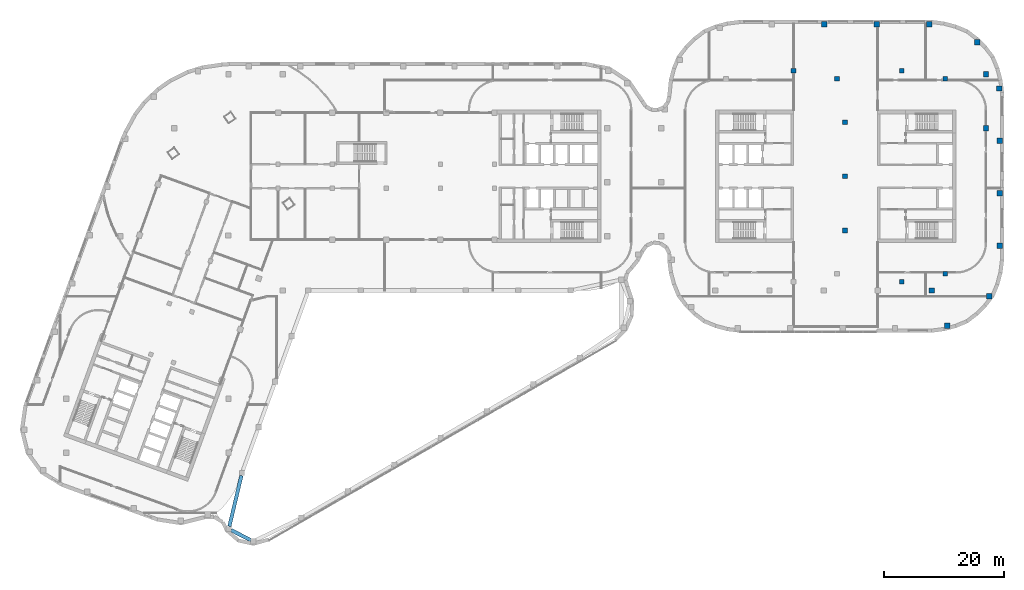
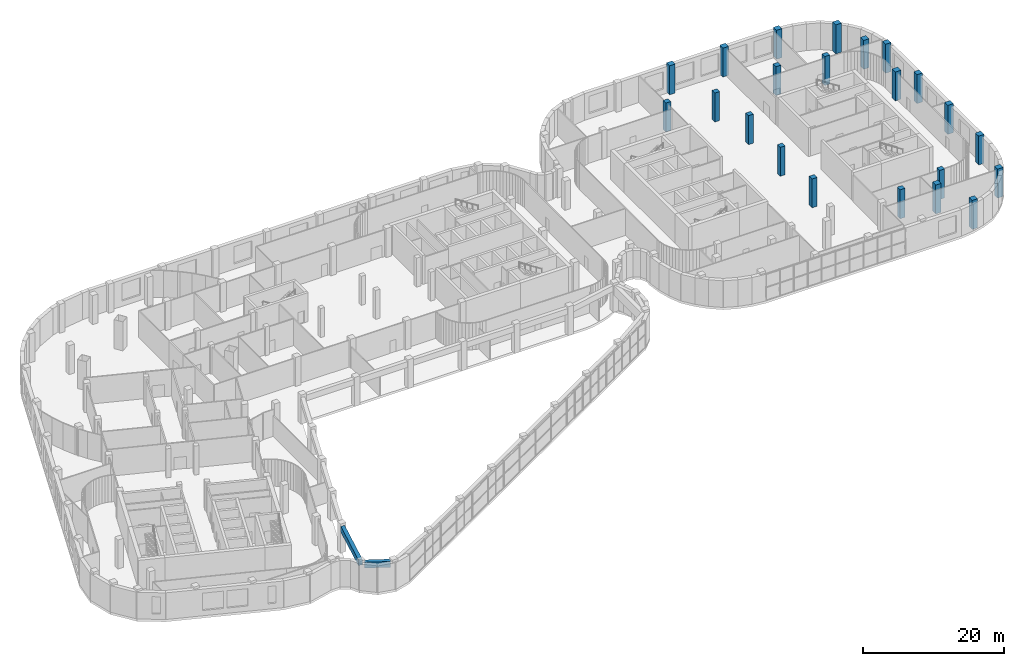
# One storey, part 2 of 25: 22 columns, 2 beams.
"""IFC4 building model written with IfcOpenShell, lengths in metres."""

from ifc_helpers import new_model, si_unit, direction, frame, origin, origin_2d, place, context, subcontext, project, spatial, rectangle, extrude, material, material_profile, profile_set, type_object, element, save


model = new_model("IFC4")

# Units and contexts
model_context = context("Model", 3, precision=1e-05, world=origin(), true_north=direction((0.0, 1.0)))
body_context = subcontext(model_context, "Body", "Model", "MODEL_VIEW")
ifc_project = project(units=[si_unit("LENGTHUNIT", "METRE"), si_unit("AREAUNIT", "SQUARE_METRE"), si_unit("VOLUMEUNIT", "CUBIC_METRE"), si_unit("PLANEANGLEUNIT", "RADIAN"), si_unit("MASSUNIT", "GRAM", prefix="KILO")], contexts=[model_context])

# Site, building, storey
site_placement = place(None, origin())
site = spatial("IfcSite", under=ifc_project, at=site_placement, CompositionType="ELEMENT")
building_placement = place(site_placement, origin())
building = spatial("IfcBuilding", under=site, at=building_placement, Name="Skarvind Civic Tower", CompositionType="ELEMENT")
storey_placement = place(building_placement, frame((0.0, 0.0, 7.5)))
storey = spatial("IfcBuildingStorey", under=building, at=storey_placement, Name="L01", CompositionType="ELEMENT", Elevation=7.5)

# Columns
ifc_material = material(Name="Concrete C60", Category="concrete")
ifc_material_profile_1 = material_profile(ifc_material, rectangle(XDim=0.800048828125, YDim=0.800048828125, at=origin_2d()), Name="RC-800x800")
ifc_profile_set_1 = profile_set([ifc_material_profile_1], Name="Concrete C60")
column_type_1 = type_object("IfcColumnType", Name="Column RC-800x800 C60", PredefinedType="COLUMN", material=ifc_profile_set_1)
for number, where, z_axis, x_axis, name in (
    (1, (148.550048828125, 119.0, 0.0), (0.0, 0.0, 1.0), (1.0, 0.0, 0.0), "Column second tower middle line 01 L01"),
    (2, (148.550048828125, 128.0, 0.0), (0.0, 0.0, 1.0), (1.0, 0.0, 0.0), "Column second tower middle line 02 L01"),
    (3, (148.550048828125, 137.0, 0.0), (0.0, 0.0, 1.0), (1.0, 0.0, 0.0), "Column second tower middle line 03 L01"),
    (4, (140.0, 145.550048828125, 0.0), (0.0, 0.0, 1.0), (1.0, 0.0, 0.0), "Column second tower north perimeter 02 L01"),
    (5, (147.222900390625, 144.222900390625, 0.0), (0.0, 0.0, 1.0), (1.0, 0.0, 0.0), "Column second tower north perimeter 03 L01"),
    (6, (165.222900390625, 144.222900390625, 0.0), (0.0, 0.0, 1.0), (1.0, 0.0, 0.0), "Column second tower north-east corner L01"),
    (7, (165.222900390625, 111.777099609375, 0.0), (0.0, 0.0, 1.0), (1.0, 0.0, 0.0), "Column second tower south-east corner L01"),
    (8, (158.0, 145.550048828125, 0.0), (0.0, 0.0, 1.0), (1.0, 0.0, 0.0), "Column second tower north perimeter 04 L01"),
    (9, (158.0, 110.449951171875, 0.0), (0.0, 0.0, 1.0), (1.0, 0.0, 0.0), "Column second tower south perimeter 04 L01"),
):
    element("IfcColumn", number, at=place(storey_placement, frame(where, z_axis=z_axis, x_axis=x_axis)), inside=storey, type_object=column_type_1, Name=name, PredefinedType="COLUMN", context=body_context, shape_type="SweptSolid", body=[
        extrude(rectangle(XDim=0.800048828125, YDim=0.800048828125, at=origin_2d()), origin(), (0.0, 0.0, 1.0), 5.0),
    ])
ifc_material_profile_2 = material_profile(ifc_material, rectangle(XDim=0.89990234375, YDim=0.89990234375, at=origin_2d()), Name="RC-900x900")
ifc_profile_set_2 = profile_set([ifc_material_profile_2], Name="Concrete C60")
column_type_2 = type_object("IfcColumnType", Name="Column RC-900x900 C60", PredefinedType="COLUMN", material=ifc_profile_set_2)
for number, where, z_axis, x_axis, name in (
    (10, (163.0, 109.0, 0.0), (0.0, 0.0, 1.0), (1.0, 0.0, 0.0), "Column podium grid 104 L01"),
    (11, (172.0, 136.0, 0.0), (0.0, 0.0, 1.0), (1.0, 0.0, 0.0), "Column podium grid 105 L01"),
    (12, (172.0, 145.0, 0.0), (0.0, 0.0, 1.0), (1.0, 0.0, 0.0), "Column podium grid 106 L01"),
    (13, (145.1015625, 153.300048828125, 0.0), (0.0, 0.0, 1.0), (1.0, 0.0, 0.0), "Column podium edge 31 L01"),
    (14, (153.8310546875, 153.300048828125, 0.0), (0.0, 0.0, 1.0), (1.0, 0.0, 0.0), "Column podium edge 32 L01"),
    (15, (162.560791015625, 153.300048828125, 0.0), (0.0, 0.0, 1.0), (1.0, 0.0, 0.0), "Column podium edge 33 L01"),
    (16, (170.520751953125, 150.26708984375, 0.0), (0.0, 0.0, 1.0), (1.0, 0.0, 0.0), "Column podium edge 34 L01"),
    (17, (174.210693359375, 142.610595703125, 0.0), (0.0, 0.0, 1.0), (1.0, 0.0, 0.0), "Column podium edge 35 L01"),
    (18, (174.300048828125, 133.88671875, 0.0), (0.0, 0.0, 1.0), (1.0, 0.0, 0.0), "Column podium edge 36 L01"),
    (19, (174.300048828125, 125.1572265625, 0.0), (0.0, 0.0, 1.0), (1.0, 0.0, 0.0), "Column podium edge 37 L01"),
    (20, (174.300048828125, 116.427490234375, 0.0), (0.0, 0.0, 1.0), (1.0, 0.0, 0.0), "Column podium edge 38 L01"),
    (21, (172.520751953125, 108.018798828125, 0.0), (0.0, 0.0, 1.0), (1.0, 0.0, 0.0), "Column podium edge 39 L01"),
    (22, (165.565673828125, 103.1298828125, 0.0), (0.0, 0.0, 1.0), (1.0, 0.0, 0.0), "Column podium edge 40 L01"),
):
    element("IfcColumn", number, at=place(storey_placement, frame(where, z_axis=z_axis, x_axis=x_axis)), inside=storey, type_object=column_type_2, Name=name, PredefinedType="COLUMN", context=body_context, shape_type="SweptSolid", body=[
        extrude(rectangle(XDim=0.89990234375, YDim=0.89990234375, at=origin_2d()), origin(), (0.0, 0.0, 1.0), 5.0),
    ])

# Beams
ifc_material_profile_3 = material_profile(ifc_material, rectangle(XDim=0.60009765625, YDim=1.0, at=origin_2d()), Name="RC-600x1000")
ifc_profile_set_3 = profile_set([ifc_material_profile_3], Name="Concrete C60")
beam_type = type_object("IfcBeamType", Name="Hall ring beam RC-600x1000 C60", PredefinedType="BEAM", material=ifc_profile_set_3)
beam_1_placement = place(storey_placement, frame((48.15283203125, 78.2099609375, 4.10009765625), z_axis=(-0.230542220257, -0.973062323122, 0.0), x_axis=(0.973062323122, -0.230542220257, 0.0)))
element("IfcBeam", 23, at=beam_1_placement, inside=storey, type_object=beam_type, Name="Hall ring beam L02 2", PredefinedType="BEAM", context=body_context, shape_type="SweptSolid", body=[
    extrude(rectangle(XDim=0.60009765625, YDim=1.0, at=origin_2d()), origin(), (0.0, 0.0, 1.0), 8.66357421875),
])
beam_2_placement = place(storey_placement, frame((46.453369140625, 69.138916015625, 4.10009765625), z_axis=(0.892412475664, -0.451220537297, 0.0), x_axis=(0.451220537297, 0.892412475664, 0.0)))
element("IfcBeam", 24, at=beam_2_placement, inside=storey, type_object=beam_type, Name="Hall ring beam L02 3", PredefinedType="BEAM", context=body_context, shape_type="SweptSolid", body=[
    extrude(rectangle(XDim=0.60009765625, YDim=1.0, at=origin_2d()), origin(), (0.0, 0.0, 1.0), 3.676025390625),
])

save(model, "model.ifc")
